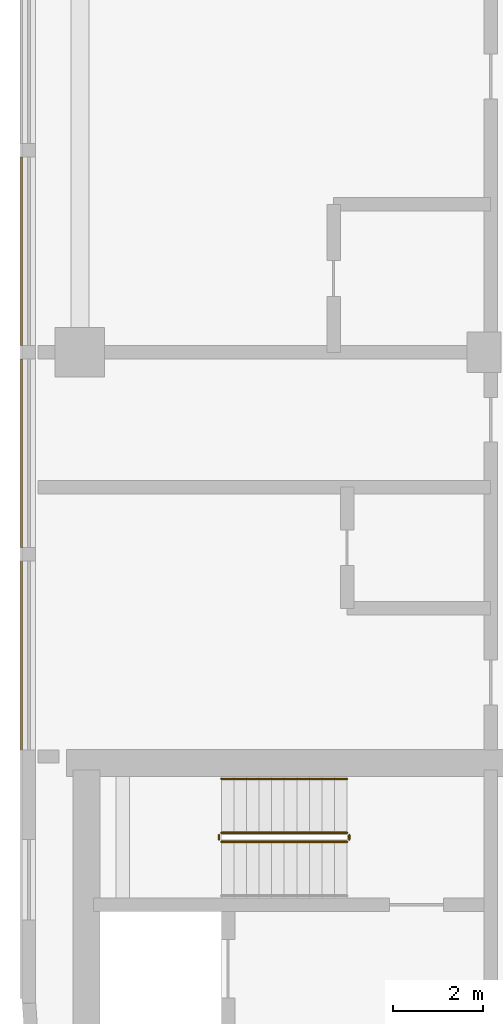
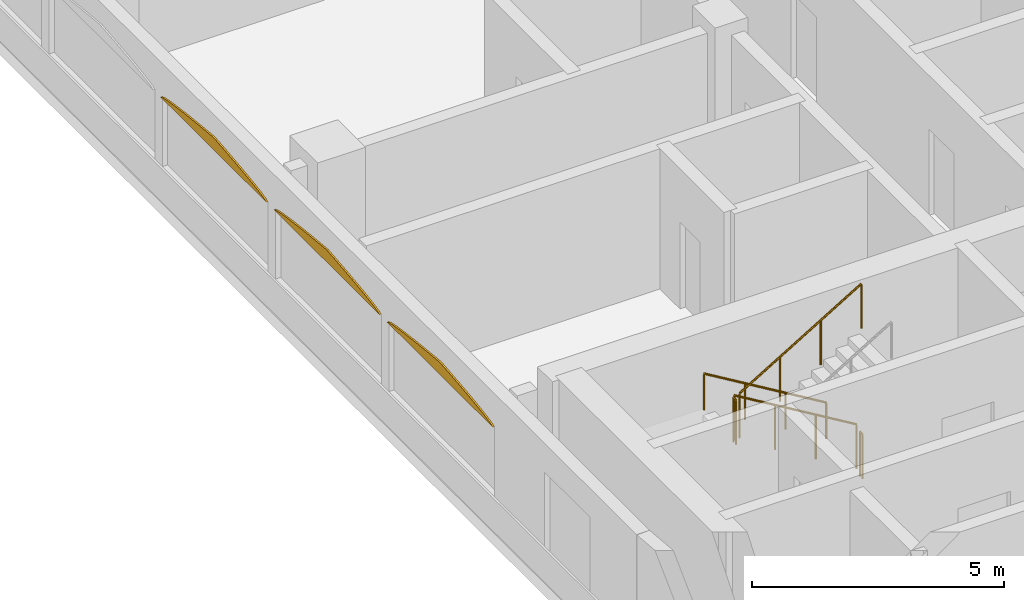
# One storey, part 18 of 23: 5 railings, 3 coverings.
"""IFC4 building model written with IfcOpenShell, lengths in metres."""

from ifc_helpers import new_model, si_unit, direction, frame, origin, origin_2d, place, context, subcontext, project, spatial, polyline, circle, outline, extrude, material, layer, layer_set, type_object, element, save


model = new_model("IFC4")

# Units and contexts
model_context = context("Model", 3, precision=1e-05, world=origin(), true_north=direction((0.0, 1.0)))
body_context = subcontext(model_context, "Body", "Model", "MODEL_VIEW")
ifc_project = project(units=[si_unit("LENGTHUNIT", "METRE"), si_unit("AREAUNIT", "SQUARE_METRE"), si_unit("VOLUMEUNIT", "CUBIC_METRE"), si_unit("PLANEANGLEUNIT", "RADIAN"), si_unit("MASSUNIT", "GRAM", prefix="KILO")], contexts=[model_context])

# Site, building, storey
site_placement = place(None, origin())
site = spatial("IfcSite", under=ifc_project, at=site_placement, CompositionType="ELEMENT")
building_placement = place(site_placement, origin())
building = spatial("IfcBuilding", under=site, at=building_placement, Name="Ogive Portal Towers", CompositionType="ELEMENT")
storey_placement = place(building_placement, frame((0.0, 0.0, 164.39990234375)))
storey = spatial("IfcBuildingStorey", under=building, at=storey_placement, Name="L40", CompositionType="ELEMENT", Elevation=164.39990234375)

# Railings
ifc_material_1 = material(Name="Stainless steel balustrade", Category="steel")
railing_type_1 = type_object("IfcRailingType", Name="INT-GUARD", PredefinedType="GUARDRAIL", material=ifc_material_1)
railing_1_placement = place(storey_placement, frame((37.449951171875, 37.800048828125, 0.168212890625)))
element("IfcRailing", 1, at=railing_1_placement, inside=storey, type_object=railing_type_1, Name="L40 ST-A1 stair guard 1", PredefinedType="GUARDRAIL", context=body_context, shape_type="SweptSolid", body=[
    extrude(circle(Radius=0.02392578125, at=origin_2d()), frame((0.0, 0.0, 1.076171875), z_axis=(-0.857242210791, 0.0, 0.514913383045), x_axis=(0.0, -1.0, 0.0)), (0.0, 0.0, 1.0), 3.266357421875),
    extrude(circle(Radius=0.02099609375, at=origin_2d()), origin(), (0.0, 0.0, 1.0), 1.052001953125),
    extrude(circle(Radius=0.02099609375, at=origin_2d()), frame((-0.933349609375, 0.0, 0.560546875)), (0.0, 0.0, 1.0), 1.052001953125),
    extrude(circle(Radius=0.02099609375, at=origin_2d()), frame((-1.86669921875, 0.0, 1.121337890625)), (0.0, 0.0, 1.0), 1.052001953125),
    extrude(circle(Radius=0.02099609375, at=origin_2d()), frame((-2.800048828125, 0.0, 1.681884765625)), (0.0, 0.0, 1.0), 1.052001953125),
])
railing_2_placement = place(storey_placement, frame((34.60009765625, 37.75, 1.85009765625)))
element("IfcRailing", 2, at=railing_2_placement, inside=storey, type_object=railing_type_1, Name="L40 ST-A1 stair guard 2", PredefinedType="GUARDRAIL", context=body_context, shape_type="SweptSolid", body=[
    extrude(circle(Radius=0.02392578125, at=origin_2d()), frame((0.0, 0.0, 1.076171875), z_axis=(0.0, -1.0, 0.0), x_axis=(1.0, 0.0, 0.0)), (0.0, 0.0, 1.0), 0.10009765625),
    extrude(circle(Radius=0.02099609375, at=origin_2d()), origin(), (0.0, 0.0, 1.0), 1.052001953125),
    extrude(circle(Radius=0.02099609375, at=origin_2d()), frame((0.0, -0.10009765625, 0.0)), (0.0, 0.0, 1.0), 1.052001953125),
])
railing_3_placement = place(storey_placement, frame((34.64990234375, 37.60009765625, 2.018310546875)))
element("IfcRailing", 3, at=railing_3_placement, inside=storey, type_object=railing_type_1, Name="L40 ST-A1 stair guard 3", PredefinedType="GUARDRAIL", context=body_context, shape_type="SweptSolid", body=[
    extrude(circle(Radius=0.02392578125, at=origin_2d()), frame((0.0, 0.0, 1.076171875), z_axis=(0.857242210791, 0.0, 0.514913383045), x_axis=(0.0, 1.0, 0.0)), (0.0, 0.0, 1.0), 3.266357421875),
    extrude(circle(Radius=0.02099609375, at=origin_2d()), origin(), (0.0, 0.0, 1.0), 1.052001953125),
    extrude(circle(Radius=0.02099609375, at=origin_2d()), frame((0.933349609375, 0.0, 0.560546875)), (0.0, 0.0, 1.0), 1.052001953125),
    extrude(circle(Radius=0.02099609375, at=origin_2d()), frame((1.86669921875, 0.0, 1.121337890625)), (0.0, 0.0, 1.0), 1.052001953125),
    extrude(circle(Radius=0.02099609375, at=origin_2d()), frame((2.800048828125, 0.0, 1.681884765625)), (0.0, 0.0, 1.0), 1.052001953125),
])
railing_4_placement = place(storey_placement, frame((37.5, 37.75, 0.0)))
element("IfcRailing", 4, at=railing_4_placement, inside=storey, type_object=railing_type_1, Name="L40 ST-A1 stair guard 4", PredefinedType="GUARDRAIL", context=body_context, shape_type="SweptSolid", body=[
    extrude(circle(Radius=0.02392578125, at=origin_2d()), frame((0.0, 0.0, 1.076171875), z_axis=(0.0, -1.0, 0.0), x_axis=(1.0, 0.0, 0.0)), (0.0, 0.0, 1.0), 0.10009765625),
    extrude(circle(Radius=0.02099609375, at=origin_2d()), origin(), (0.0, 0.0, 1.0), 1.052001953125),
    extrude(circle(Radius=0.02099609375, at=origin_2d()), frame((0.0, -0.10009765625, 0.0)), (0.0, 0.0, 1.0), 1.052001953125),
])
ifc_material_2 = material(Name="Stainless steel handrail", Category="steel")
railing_type_2 = type_object("IfcRailingType", Name="INT-HANDRAIL", PredefinedType="HANDRAIL", material=ifc_material_2)
railing_5_placement = place(storey_placement, frame((37.449951171875, 39.0, 0.168212890625)))
element("IfcRailing", 5, at=railing_5_placement, inside=storey, type_object=railing_type_2, Name="L40 ST-A1 stair handrail 1", PredefinedType="HANDRAIL", context=body_context, shape_type="SweptSolid", body=[
    extrude(circle(Radius=0.02392578125, at=origin_2d()), frame((0.0, 0.0, 0.8759765625), z_axis=(-0.857242210791, 0.0, 0.514913383045), x_axis=(0.0, -1.0, 0.0)), (0.0, 0.0, 1.0), 3.266357421875),
    extrude(circle(Radius=0.02099609375, at=origin_2d()), origin(), (0.0, 0.0, 1.0), 0.851806640625),
    extrude(circle(Radius=0.02099609375, at=origin_2d()), frame((-0.933349609375, 0.0, 0.560546875)), (0.0, 0.0, 1.0), 0.851806640625),
    extrude(circle(Radius=0.02099609375, at=origin_2d()), frame((-1.86669921875, 0.0, 1.121337890625)), (0.0, 0.0, 1.0), 0.851806640625),
    extrude(circle(Radius=0.02099609375, at=origin_2d()), frame((-2.800048828125, 0.0, 1.681884765625)), (0.0, 0.0, 1.0), 0.851806640625),
])

# Coverings
ifc_material_3 = material(Name="Limestone cladding on lightweight block wall", Category="masonry")
ifc_layer = layer(ifc_material_3, 0.0400390625)
ifc_layer_set = layer_set([ifc_layer], Name="LANCET HEAD STONE")
covering_type = type_object("IfcCoveringType", Name="LANCET HEAD STONE", PredefinedType="CLADDING", material=ifc_layer_set)
for number, where, z_axis, x_axis, name in (
    (6, (30.215087890625, 52.85009765625, 2.60009765625), (0.999943512381, 0.0, 0.010628830986), (0.0, -1.0, 0.0), "Lancet head"),
    (7, (30.215087890625, 48.35009765625, 2.60009765625), (0.999943512381, 0.0, 0.010628830986), (0.0, -1.0, 0.0), "Lancet head"),
    (8, (30.215087890625, 43.85009765625, 2.60009765625), (0.999943512381, 0.0, 0.010628830986), (0.0, -1.0, 0.0), "Lancet head"),
):
    element("IfcCovering", number, at=place(storey_placement, frame(where, z_axis=z_axis, x_axis=x_axis)), inside=storey, type_object=covering_type, Name=name, PredefinedType="CLADDING", context=body_context, shape_type="SweptSolid", body=[
        extrude(outline(polyline([(0.0, 0.0), (4.2001953125, 0.0), (4.107177734375, -0.03760072230677994), (3.9375, -0.07495472285004258), (3.7177734375, -0.11255544515682253), (3.45751953125, -0.14991204062952518), (3.162353515625, -0.18751016800686512), (2.836181640625, -0.22511089031364506), (2.481201171875, -0.2624648908569077), (2.10009765625, -0.30006561316368763), (1.718994140625, -0.2624648908569077), (1.364013671875, -0.22511089031364506), (1.037841796875, -0.18751016800686512), (0.74267578125, -0.14991204062952518), (0.482421875, -0.11255544515682253), (0.2626953125, -0.07495472285004258), (0.093017578125, -0.03760072230677994), (0.0, 0.0)])), origin(), (0.0, 0.0, -1.0), 0.0400390625),
    ])

save(model, "model.ifc")
